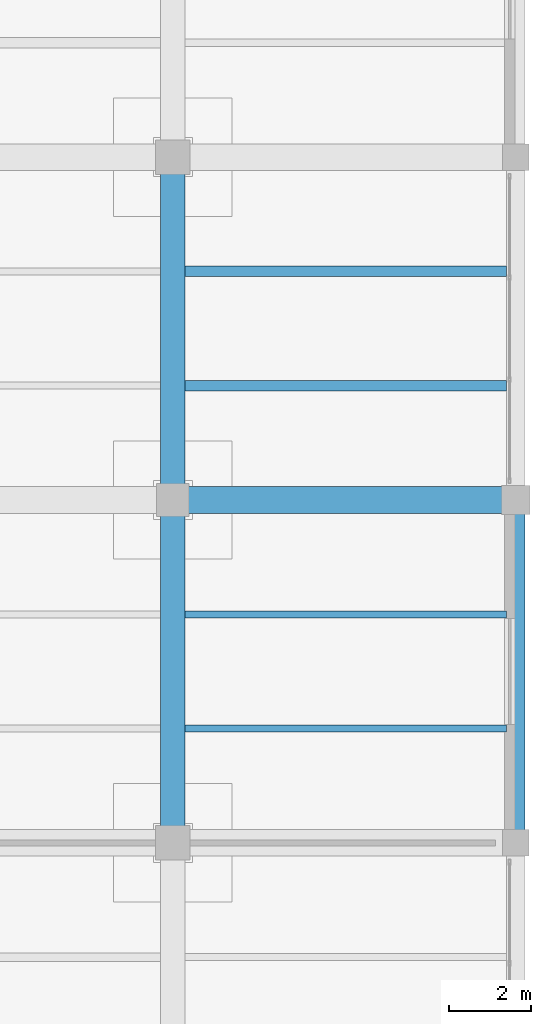
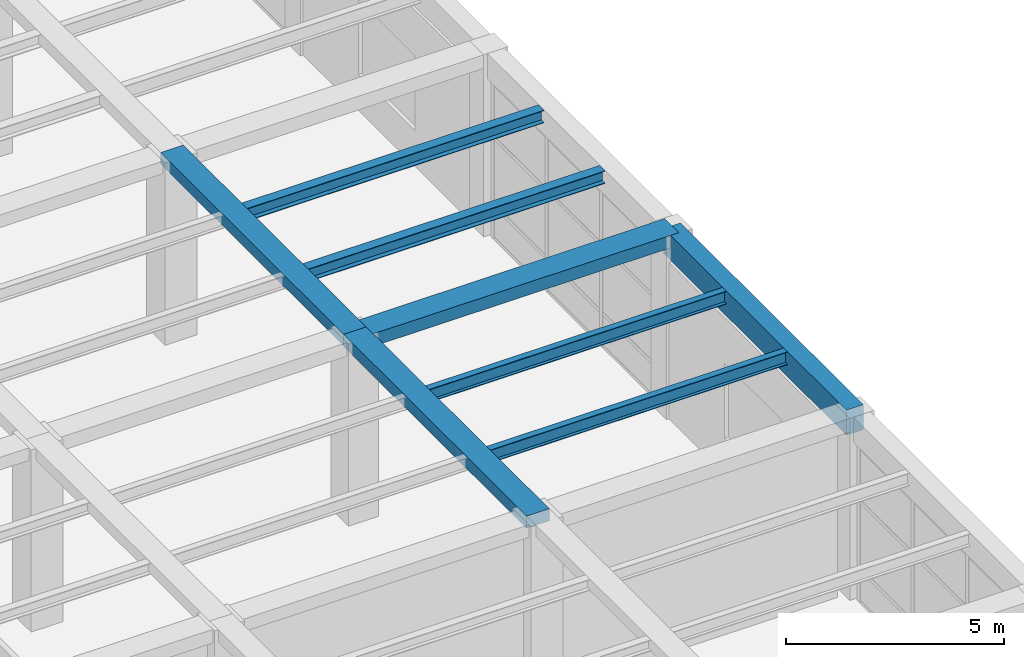
# One storey, part 57 of 95: 8 beams.
"""IFC4 building model written with IfcOpenShell, lengths in metres."""

from ifc_helpers import new_model, si_unit, direction, frame, origin, origin_2d, place, context, subcontext, project, spatial, rectangle, i_section, extrude, material, material_profile, profile_set, type_object, element, save


model = new_model("IFC4")

# Units and contexts
model_context = context("Model", 3, precision=1e-05, world=origin(), true_north=direction((0.0, 1.0)))
body_context = subcontext(model_context, "Body", "Model", "MODEL_VIEW")
ifc_project = project(units=[si_unit("LENGTHUNIT", "METRE"), si_unit("AREAUNIT", "SQUARE_METRE"), si_unit("VOLUMEUNIT", "CUBIC_METRE"), si_unit("PLANEANGLEUNIT", "RADIAN"), si_unit("MASSUNIT", "GRAM", prefix="KILO")], contexts=[model_context])

# Site, building, storey
site_placement = place(None, origin())
site = spatial("IfcSite", under=ifc_project, at=site_placement, CompositionType="ELEMENT")
building_placement = place(site_placement, origin())
building = spatial("IfcBuilding", under=site, at=building_placement, Name="Almacenes y Pasaje Nevantli", CompositionType="ELEMENT")
storey_placement = place(building_placement, frame((0.0, 0.0, 11.39990234375)))
storey = spatial("IfcBuildingStorey", under=building, at=storey_placement, Name="L03", CompositionType="ELEMENT", Elevation=11.39990234375)

# Beams
ifc_material_1 = material(Name="Concrete C35/45", Category="concrete")
ifc_material_profile_1 = material_profile(ifc_material_1, rectangle(XDim=0.449951171875, YDim=0.699951171875, at=origin_2d()), Name="RC-BM-450x700")
ifc_profile_set_1 = profile_set([ifc_material_profile_1], Name="Concrete C35/45")
beam_type_1 = type_object("IfcBeamType", Name="BM-RC-450x700", PredefinedType="SPANDREL", material=ifc_profile_set_1)
beam_1_placement = place(storey_placement, frame((168.0, 75.60009765625, 4.75), z_axis=(0.0, 1.0, 0.0), x_axis=(-1.0, 0.0, 0.0)))
element("IfcBeam", 1, at=beam_1_placement, inside=storey, type_object=beam_type_1, Name="L03 North-South Reinforced Concrete Beam #2711", PredefinedType="SPANDREL", context=body_context, shape_type="SweptSolid", body=[
    extrude(rectangle(XDim=0.449951171875, YDim=0.699951171875, at=origin_2d()), origin(), (0.0, 0.0, 1.0), 8.39990234375),
])
ifc_material_2 = material(Name="Concrete C35/45", Category="concrete")
ifc_material_profile_2 = material_profile(ifc_material_2, rectangle(XDim=0.60009765625, YDim=0.320068359375, at=origin_2d()), Name="RC-BM-600x320")
ifc_profile_set_2 = profile_set([ifc_material_profile_2], Name="Concrete C35/45")
beam_type_2 = type_object("IfcBeamType", Name="BM-RC-600x320", PredefinedType="BEAM", material=ifc_profile_set_2)
beam_2_placement = place(storey_placement, frame((159.60009765625, 84.0, 4.940185546875), z_axis=(0.0, 1.0, 0.0), x_axis=(-1.0, 0.0, 0.0)))
element("IfcBeam", 2, at=beam_2_placement, inside=storey, type_object=beam_type_2, Name="L03 North-South Reinforced Concrete Beam #2698", PredefinedType="BEAM", context=body_context, shape_type="SweptSolid", body=[
    extrude(rectangle(XDim=0.60009765625, YDim=0.320068359375, at=origin_2d()), origin(), (0.0, 0.0, 1.0), 8.39990234375),
])
ifc_material_3 = material(Name="Concrete C35/45", Category="concrete")
ifc_material_profile_3 = material_profile(ifc_material_3, rectangle(XDim=0.60009765625, YDim=0.340087890625, at=origin_2d()), Name="RC-BM-600x340")
ifc_profile_set_3 = profile_set([ifc_material_profile_3], Name="Concrete C35/45")
beam_type_3 = type_object("IfcBeamType", Name="BM-RC-600x340", PredefinedType="BEAM", material=ifc_profile_set_3)
beam_3_placement = place(storey_placement, frame((159.60009765625, 75.60009765625, 4.93017578125), z_axis=(0.0, 1.0, 0.0), x_axis=(-1.0, 0.0, 0.0)))
element("IfcBeam", 3, at=beam_3_placement, inside=storey, type_object=beam_type_3, Name="L03 North-South Reinforced Concrete Beam #2697", PredefinedType="BEAM", context=body_context, shape_type="SweptSolid", body=[
    extrude(rectangle(XDim=0.60009765625, YDim=0.340087890625, at=origin_2d()), origin(), (0.0, 0.0, 1.0), 8.39990234375),
])
ifc_material_4 = material(Name="Concrete C35/45", Category="concrete")
ifc_material_profile_4 = material_profile(ifc_material_4, rectangle(XDim=0.64990234375, YDim=0.35009765625, at=origin_2d()), Name="RC-BM-650x350")
ifc_profile_set_4 = profile_set([ifc_material_profile_4], Name="Concrete C35/45")
beam_type_4 = type_object("IfcBeamType", Name="BM-RC-650x350", PredefinedType="BEAM", material=ifc_profile_set_4)
beam_4_placement = place(storey_placement, frame((159.60009765625, 84.0, 4.925048828125), z_axis=(1.0, 0.0, 0.0), x_axis=(0.0, 1.0, 0.0)))
element("IfcBeam", 4, at=beam_4_placement, inside=storey, type_object=beam_type_4, Name="L03 East-West Reinforced Concrete Beam #2408", PredefinedType="BEAM", context=body_context, shape_type="SweptSolid", body=[
    extrude(rectangle(XDim=0.64990234375, YDim=0.35009765625, at=origin_2d()), origin(), (0.0, 0.0, 1.0), 8.39990234375),
])
ifc_material_5 = material(Name="Steel ASTM A992", Category="steel")
ifc_material_profile_5 = material_profile(ifc_material_5, i_section(OverallWidth=0.173095703125, OverallDepth=0.364013671875, WebThickness=0.009033203125, FlangeThickness=0.015625, at=origin_2d()), Name="IR 356x67.0")
ifc_profile_set_5 = profile_set([ifc_material_profile_5], Name="Steel ASTM A992")
beam_type_5 = type_object("IfcBeamType", Name="BM-STL-IR-356x67p0", PredefinedType="JOIST", material=ifc_profile_set_5)
for number, where, z_axis, x_axis, name in (
    (5, (159.89990234375, 78.39990234375, 4.91015625), (1.0, 0.0, 0.0), (0.0, 1.0, 0.0), "L03 Secondary Steel Floor Joist #1005"),
    (6, (159.89990234375, 81.199951171875, 4.91015625), (1.0, 0.0, 0.0), (0.0, 1.0, 0.0), "L03 Secondary Steel Floor Joist #1006"),
):
    element("IfcBeam", number, at=place(storey_placement, frame(where, z_axis=z_axis, x_axis=x_axis)), inside=storey, type_object=beam_type_5, Name=name, PredefinedType="JOIST", context=body_context, shape_type="SweptSolid", body=[
        extrude(i_section(OverallWidth=0.173095703125, OverallDepth=0.364013671875, WebThickness=0.009033203125, FlangeThickness=0.015625, at=origin_2d()), origin(), (0.0, 0.0, 1.0), 7.875),
    ])
ifc_material_6 = material(Name="Steel ASTM A992", Category="steel")
ifc_material_profile_6 = material_profile(ifc_material_6, i_section(OverallWidth=0.25390625, OverallDepth=0.35595703125, WebThickness=0.009521484375, FlangeThickness=0.016357421875, at=origin_2d()), Name="IR 356x79.0")
ifc_profile_set_6 = profile_set([ifc_material_profile_6], Name="Steel ASTM A992")
beam_type_6 = type_object("IfcBeamType", Name="BM-STL-IR-356x79p0", PredefinedType="JOIST", material=ifc_profile_set_6)
for number, where, z_axis, x_axis, name in (
    (7, (159.89990234375, 86.800048828125, 4.9140625), (1.0, 0.0, 0.0), (0.0, 1.0, 0.0), "L03 Secondary Steel Floor Joist #1007"),
    (8, (159.89990234375, 89.60009765625, 4.9140625), (1.0, 0.0, 0.0), (0.0, 1.0, 0.0), "L03 Secondary Steel Floor Joist #1008"),
):
    element("IfcBeam", number, at=place(storey_placement, frame(where, z_axis=z_axis, x_axis=x_axis)), inside=storey, type_object=beam_type_6, Name=name, PredefinedType="JOIST", context=body_context, shape_type="SweptSolid", body=[
        extrude(i_section(OverallWidth=0.25390625, OverallDepth=0.35595703125, WebThickness=0.009521484375, FlangeThickness=0.016357421875, at=origin_2d()), origin(), (0.0, 0.0, 1.0), 7.875),
    ])

save(model, "model.ifc")
